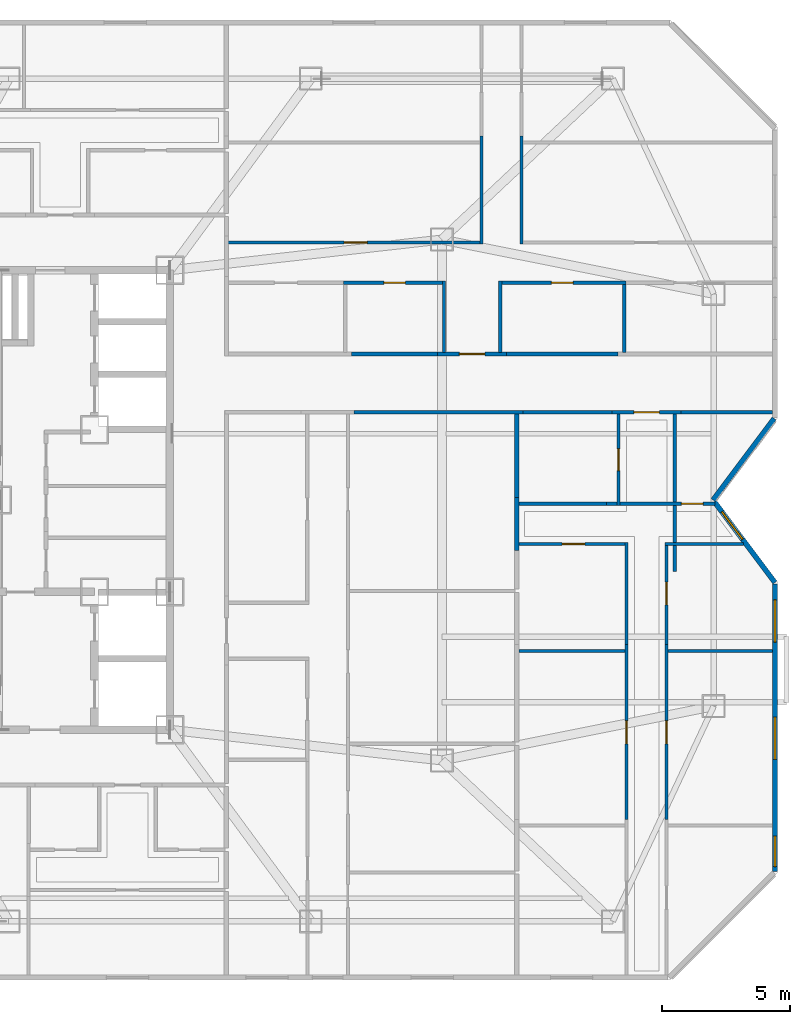
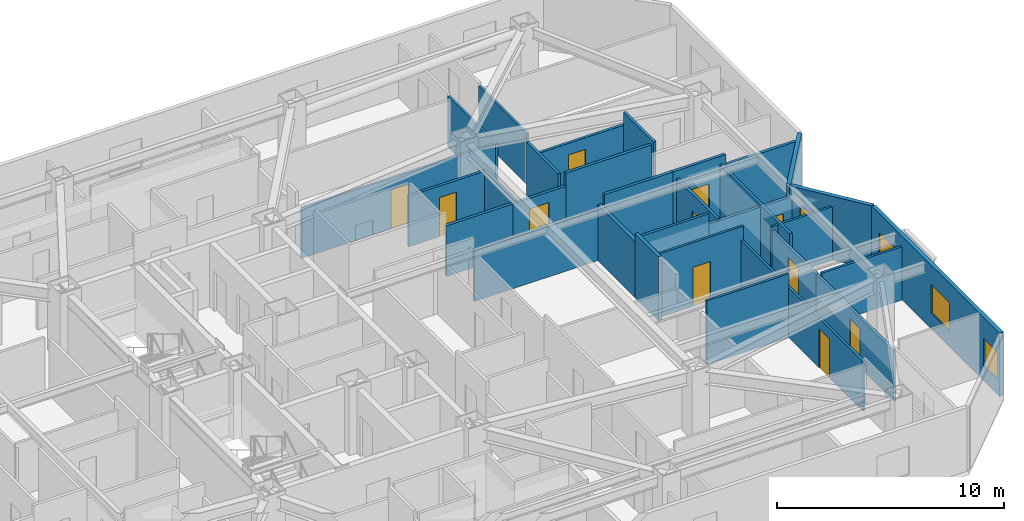
# One storey, part 9 of 13: 32 walls, 11 doors, 4 windows, 15 openings.
"""IFC4 building model written with IfcOpenShell, lengths in metres."""

import ifcopenshell
import ifcopenshell.guid

model = None  # the IFC model being written
_history = None  # IfcOwnerHistory: only IFC2X3 demands one
_inside = {}  # id of a spatial element -> (the spatial element, [elements in it])
_under = {}  # id of a project, library or spatial element -> (it, [spatial elements below it])
_declared = {}  # id of a project -> (the project, [libraries it declares])
_typed = {}  # id of a type object -> (the type object, [elements of that type])
_made_of = {}  # id of a material, layer set ... -> (it, [elements and type objects made of it])


def new_model(schema):
    """Start an empty IFC model of exactly this schema.

    Asked for "IFC4X3", IfcOpenShell would pick the latest addendum, in which some entities
    have other attributes; the version numbers below select the first issue.
    IFC2X3 requires an IfcOwnerHistory on every rooted entity: one is made here for all.
    """
    global model, _history
    if schema == "IFC4X3":
        model = ifcopenshell.file(schema_version=(4, 3, 0, 0))
    else:
        model = ifcopenshell.file(schema=schema)
    _inside.clear()
    _under.clear()
    _declared.clear()
    _typed.clear()
    _made_of.clear()
    _history = None
    if model.schema == "IFC2X3":
        org = make("IfcOrganization", Name="unknown")
        user = make(
            "IfcPersonAndOrganization",
            ThePerson=make("IfcPerson", FamilyName="unknown"),
            TheOrganization=org,
        )
        app = make(
            "IfcApplication",
            ApplicationDeveloper=org,
            Version="unknown",
            ApplicationFullName="unknown",
            ApplicationIdentifier="unknown",
        )
        _history = make(
            "IfcOwnerHistory",
            OwningUser=user,
            OwningApplication=app,
            ChangeAction="ADDED",
            CreationDate=0,
        )
    return model


def make(cls, **values):
    """One entity of the class cls with the attributes given. An attribute that is None is left unset."""
    return model.create_entity(
        cls, **{name: value for name, value in values.items() if value is not None}
    )


def rooted(cls, **values):
    """An entity with a GlobalId (a new one), such as an element, a storey or a relation."""
    return make(cls, GlobalId=ifcopenshell.guid.new(), OwnerHistory=_history, **values)


def si_unit(unit_type, name, prefix=None):
    """IfcSIUnit, for example si_unit("LENGTHUNIT", "METRE", prefix="MILLI")."""
    return make("IfcSIUnit", UnitType=unit_type, Prefix=prefix, Name=name)


def assignment(units):
    """IfcUnitAssignment: the units of a project."""
    return None if units is None else make("IfcUnitAssignment", Units=units)


def point(xyz):
    """IfcCartesianPoint."""
    return None if xyz is None else make("IfcCartesianPoint", Coordinates=xyz)


def direction(xyz):
    """IfcDirection."""
    return None if xyz is None else make("IfcDirection", DirectionRatios=xyz)


def frame(location, z_axis=None, x_axis=None):
    """IfcAxis2Placement3D, a coordinate frame: its origin and axes. An axis left out is left unset."""
    return make(
        "IfcAxis2Placement3D",
        Location=point(location),
        Axis=direction(z_axis),
        RefDirection=direction(x_axis),
    )


def frame_2d(location, x_axis=None):
    """IfcAxis2Placement2D, a coordinate frame in the plane: its origin and x axis."""
    return make(
        "IfcAxis2Placement2D", Location=point(location), RefDirection=direction(x_axis)
    )


def origin():
    """The frame at (0, 0, 0) with its axes left unset."""
    return frame((0.0, 0.0, 0.0))


def place(relative_to, where):
    """IfcLocalPlacement: puts the frame where relative to a parent placement (None: the world)."""
    return make(
        "IfcLocalPlacement", PlacementRelTo=relative_to, RelativePlacement=where
    )


def context(
    kind, dimensions, precision=None, world=None, true_north=None, identifier=None
):
    """IfcGeometricRepresentationContext, for example the 3D "Model" context."""
    return make(
        "IfcGeometricRepresentationContext",
        ContextIdentifier=identifier,
        ContextType=kind,
        CoordinateSpaceDimension=dimensions,
        Precision=precision,
        WorldCoordinateSystem=world,
        TrueNorth=true_north,
    )


def subcontext(parent, identifier, kind, view, scale=None):
    """IfcGeometricRepresentationSubContext, for example "Body" below "Model"."""
    return make(
        "IfcGeometricRepresentationSubContext",
        ContextIdentifier=identifier,
        ContextType=kind,
        ParentContext=parent,
        TargetScale=scale,
        TargetView=view,
    )


def project(units=None, contexts=None):
    """IfcProject with its units and contexts."""
    return rooted(
        "IfcProject",
        Name="project",
        RepresentationContexts=contexts,
        UnitsInContext=assignment(units),
    )


def spatial(cls, under=None, at=None, **own):
    """A site, building, storey or space (cls), placed at a placement, below another one or the project."""
    s = rooted(cls, ObjectPlacement=at, **own)
    if under is not None:
        _under.setdefault(under.id(), (under, []))[1].append(s)
    return s


def profile(cls, at=None, kind="AREA", **sizes):
    """A parametric profile (cls). Its sizes go by their IFC names, for example OverallWidth=200.0."""
    return make(cls, ProfileType=kind, Position=at, **sizes)


def rectangle(**sizes):
    """IfcRectangleProfileDef."""
    return profile("IfcRectangleProfileDef", **sizes)


def extrude(swept, where, along, depth):
    """IfcExtrudedAreaSolid: the profile swept, set in the frame where, extruded along a direction by depth."""
    return make(
        "IfcExtrudedAreaSolid",
        SweptArea=swept,
        Position=where,
        ExtrudedDirection=direction(along),
        Depth=depth,
    )


def shape(context_of_items, identifier, shape_type, items):
    """IfcShapeRepresentation: the items that make up one representation, for example the "Body"."""
    return make(
        "IfcShapeRepresentation",
        ContextOfItems=context_of_items,
        RepresentationIdentifier=identifier,
        RepresentationType=shape_type,
        Items=items,
    )


def material(Name=None, Category=None):
    """IfcMaterial."""
    return make("IfcMaterial", Name=Name, Category=Category)


def layer(
    of_material, thickness, ventilated=None, Name=None, Category=None, Priority=None
):
    """IfcMaterialLayer: one layer of a wall or slab, of a material (None: an air gap)."""
    return make(
        "IfcMaterialLayer",
        Material=of_material,
        LayerThickness=thickness,
        IsVentilated=ventilated,
        Name=Name,
        Category=Category,
        Priority=Priority,
    )


def layer_set(layers, Name=None):
    """IfcMaterialLayerSet."""
    return make("IfcMaterialLayerSet", MaterialLayers=layers, LayerSetName=Name)


def made_of(thing, what):
    """Note that an element or type object is made of a material, layer set ...; save() writes the relation."""
    if what is not None:
        _made_of.setdefault(what.id(), (what, []))[1].append(thing)
    return thing


def type_object(cls, material=None, **own):
    """A type object (cls), such as IfcWallType, which elements share."""
    return made_of(rooted(cls, **own), material)


def element(
    cls,
    number,
    at=None,
    inside=None,
    cuts=None,
    type_object=None,
    material=None,
    context=None,
    identifier="Body",
    shape_type=None,
    held_by="IfcProductDefinitionShape",
    body=None,
    shapes=None,
    **own,
):
    """One element of the class cls, such as IfcWall. Its Tag is "e" and its number.

    at: its placement. inside: the storey or other place that contains it. cuts: it is an
    opening in that element (IfcRelVoidsElement). A single representation is given by context,
    identifier, shape_type and body (its items); several are given by shapes. held_by: the class
    of the entity that holds the representations. save() writes the other relations.
    """
    e = rooted(cls, Tag="e%d" % number, ObjectPlacement=at, **own)
    if body is not None:
        shapes = [shape(context, identifier, shape_type, body)]
    if shapes is not None:
        e.Representation = make(held_by, Representations=shapes)
    if inside is not None:
        _inside.setdefault(inside.id(), (inside, []))[1].append(e)
    if cuts is not None:
        rooted(
            "IfcRelVoidsElement", RelatingBuildingElement=cuts, RelatedOpeningElement=e
        )
    if type_object is not None:
        _typed.setdefault(type_object.id(), (type_object, []))[1].append(e)
    return made_of(e, material)


def fill(opening, filler):
    """IfcRelFillsElement: the door or window that sits in an opening."""
    return rooted(
        "IfcRelFillsElement",
        RelatingOpeningElement=opening,
        RelatedBuildingElement=filler,
    )


def aggregate(whole, parts):
    """IfcRelAggregates: a whole, such as a stair, and the parts it consists of."""
    return rooted("IfcRelAggregates", RelatingObject=whole, RelatedObjects=parts)


def save(model, path):
    """Write the relations noted so far, then the file.

    IfcRelAggregates (storeys below a building ...), IfcRelContainedInSpatialStructure (elements
    in a storey), IfcRelDefinesByType, IfcRelAssociatesMaterial and IfcRelDeclares: one each for
    every whole, place, type object, material and project.
    """
    for whole, parts in _under.values():
        aggregate(whole, parts)
    for where, things in _inside.values():
        rooted(
            "IfcRelContainedInSpatialStructure",
            RelatedElements=things,
            RelatingStructure=where,
        )
    for kind, things in _typed.values():
        rooted("IfcRelDefinesByType", RelatedObjects=things, RelatingType=kind)
    for what, things in _made_of.values():
        rooted("IfcRelAssociatesMaterial", RelatedObjects=things, RelatingMaterial=what)
    for by, libraries in _declared.values():
        rooted("IfcRelDeclares", RelatingContext=by, RelatedDefinitions=libraries)
    model.write(path)


model = new_model("IFC4")

# Units and contexts
model_context = context("Model", 3, precision=1e-05, world=origin(), true_north=direction((0.0, 1.0)))
body_context = subcontext(model_context, "Body", "Model", "MODEL_VIEW")
ifc_project = project(units=[si_unit("LENGTHUNIT", "METRE"), si_unit("AREAUNIT", "SQUARE_METRE"), si_unit("VOLUMEUNIT", "CUBIC_METRE"), si_unit("PLANEANGLEUNIT", "RADIAN"), si_unit("MASSUNIT", "GRAM", prefix="KILO")], contexts=[model_context])

# Site, building, storey
site_placement = place(None, origin())
site = spatial("IfcSite", under=ifc_project, at=site_placement, CompositionType="ELEMENT")
building_placement = place(site_placement, origin())
building = spatial("IfcBuilding", under=site, at=building_placement, Name="Khamvora Tower", CompositionType="ELEMENT")
storey_placement = place(building_placement, frame((0.0, 0.0, 166.85009765625)))
storey = spatial("IfcBuildingStorey", under=building, at=storey_placement, Name="L42", CompositionType="ELEMENT", Elevation=166.85009765625)

# Wall
ifc_material_1 = material(Name="Fire-Rated Drywall and Steel Stud", Category="steel")
ifc_layer_1 = layer(ifc_material_1, 0.14990234375)
ifc_layer_set_1 = layer_set([ifc_layer_1], Name="Fire-Rated Drywall and Steel Stud")
wall_type_1 = type_object("IfcWallType", Name="WAL-CORR-150", PredefinedType="STANDARD", material=ifc_layer_set_1)
wall_1_placement = place(storey_placement, frame((53.23388671875, 31.43505859375, 0.0), z_axis=(0.0, 0.0, 1.0), x_axis=(-1.0, 0.0, 0.0)))
element("IfcWall", 1, at=wall_1_placement, inside=storey, type_object=wall_type_1, Name="L42 interior partition wall 033", PredefinedType="STANDARD", context=body_context, shape_type="SweptSolid", body=[
    extrude(rectangle(XDim=6.616943359375, YDim=0.14990234375, at=frame_2d((3.30859375, 0.0))), origin(), (0.0, 0.0, 1.0), 2.724853515625),
])

# Wall, opening, door
wall_2_placement = place(storey_placement, frame((59.4189453125, 31.43505859375, 0.0), z_axis=(0.0, 0.0, 1.0), x_axis=(-1.0, 0.0, 0.0)))
wall_2 = element("IfcWall", 2, at=wall_2_placement, inside=storey, type_object=wall_type_1, Name="L42 interior partition wall 034", PredefinedType="STANDARD", context=body_context, shape_type="SweptSolid", body=[
    extrude(rectangle(XDim=2.697998046875, YDim=0.14990234375, at=frame_2d((1.34912109375, 0.0))), origin(), (0.0, 0.0, 1.0), 3.429931640625),
])
opening_1_placement = place(wall_2_placement, frame((0.84912109375, 0.0, 0.0)))
opening_1 = element("IfcOpeningElement", 3, at=opening_1_placement, cuts=wall_2, Name="Opening D-U1", PredefinedType="OPENING", context=body_context, shape_type="SweptSolid", body=[
    extrude(rectangle(XDim=1.0, YDim=2.14990234375, at=frame_2d((0.5, 1.074951171875))), frame((0.0, 0.0849609375, 0.0), z_axis=(0.0, -1.0, 0.0), x_axis=(1.0, 0.0, 0.0)), (0.0, 0.0, 1.0), 0.169921875),
])
ifc_material_2 = material(Name="Powder-Coated Steel and Hardwood Leaf", Category="steel")
door_type_1 = type_object("IfcDoorType", Name="DOR-UNIT-1000", OperationType="NOTDEFINED", PredefinedType="DOOR", material=ifc_material_2)
door_1_placement = place(opening_1_placement, origin())
door_1 = element("IfcDoor", 4, at=door_1_placement, inside=storey, type_object=door_type_1, Name="L42 interior door COR-42EBH", OperationType="SINGLE_SWING_LEFT", OverallHeight=2.14990234375, OverallWidth=1.0, PredefinedType="DOOR", context=body_context, shape_type="SweptSolid", body=[
    extrude(rectangle(XDim=1.0, YDim=2.14990234375, at=frame_2d((0.5, 1.074951171875))), frame((0.0, 0.02490234375, 0.0), z_axis=(0.0, -1.0, 0.0), x_axis=(1.0, 0.0, 0.0)), (0.0, 0.0, 1.0), 0.050048828125),
])
fill(opening_1, door_1)

# Walls
wall_3_placement = place(storey_placement, frame((63.008056640625, 31.43505859375, 0.0), z_axis=(0.0, 0.0, 1.0), x_axis=(-1.0, 0.0, 0.0)))
element("IfcWall", 5, at=wall_3_placement, inside=storey, type_object=wall_type_1, Name="L42 interior partition wall 035", PredefinedType="STANDARD", context=body_context, shape_type="SweptSolid", body=[
    extrude(rectangle(XDim=3.589111328125, YDim=0.14990234375, at=frame_2d((1.79443359375, 0.0))), origin(), (0.0, 0.0, 1.0), 2.8759765625),
])
wall_4_placement = place(storey_placement, frame((56.720947265625, 31.43505859375, 0.0), z_axis=(0.0, 0.0, 1.0), x_axis=(-1.0, 0.0, 0.0)))
element("IfcWall", 6, at=wall_4_placement, inside=storey, type_object=wall_type_1, Name="L42 interior partition wall 036", PredefinedType="STANDARD", context=body_context, shape_type="SweptSolid", body=[
    extrude(rectangle(XDim=3.487060546875, YDim=0.14990234375, at=frame_2d((1.74365234375, 0.0))), origin(), (0.0, 0.0, 1.0), 3.429931640625),
])

# Wall, opening, door
wall_5_placement = place(storey_placement, frame((49.885986328125, 33.715087890625, 0.0), z_axis=(0.0, 0.0, 1.0), x_axis=(1.0, 0.0, 0.0)))
wall_5 = element("IfcWall", 7, at=wall_5_placement, inside=storey, type_object=wall_type_1, Name="L42 interior partition wall 041", PredefinedType="STANDARD", context=body_context, shape_type="SweptSolid", body=[
    extrude(rectangle(XDim=2.697998046875, YDim=0.14990234375, at=frame_2d((1.34912109375, 0.0))), origin(), (0.0, 0.0, 1.0), 2.724853515625),
])
opening_2_placement = place(wall_5_placement, frame((0.84912109375, 0.0, 0.0)))
opening_2 = element("IfcOpeningElement", 8, at=opening_2_placement, cuts=wall_5, Name="Opening D-U1", PredefinedType="OPENING", context=body_context, shape_type="SweptSolid", body=[
    extrude(rectangle(XDim=1.0, YDim=2.14990234375, at=frame_2d((0.5, 1.074951171875))), frame((0.0, 0.0849609375, 0.0), z_axis=(0.0, -1.0, 0.0), x_axis=(1.0, 0.0, 0.0)), (0.0, 0.0, 1.0), 0.169921875),
])
door_2_placement = place(opening_2_placement, origin())
door_2 = element("IfcDoor", 9, at=door_2_placement, inside=storey, type_object=door_type_1, Name="L42 interior door COR-42ECH", OperationType="SINGLE_SWING_RIGHT", OverallHeight=2.14990234375, OverallWidth=1.0, PredefinedType="DOOR", context=body_context, shape_type="SweptSolid", body=[
    extrude(rectangle(XDim=1.0, YDim=2.14990234375, at=frame_2d((0.5, 1.074951171875))), frame((0.0, 0.02490234375, 0.0), z_axis=(0.0, -1.0, 0.0), x_axis=(1.0, 0.0, 0.0)), (0.0, 0.0, 1.0), 0.050048828125),
])
fill(opening_2, door_2)

# Walls
wall_6_placement = place(storey_placement, frame((46.51904296875, 33.715087890625, 0.0), z_axis=(0.0, 0.0, 1.0), x_axis=(1.0, 0.0, 0.0)))
element("IfcWall", 10, at=wall_6_placement, inside=storey, type_object=wall_type_1, Name="L42 interior partition wall 042", PredefinedType="STANDARD", context=body_context, shape_type="SweptSolid", body=[
    extrude(rectangle(XDim=3.366943359375, YDim=0.14990234375, at=frame_2d((1.68359375, 0.0))), origin(), (0.0, 0.0, 1.0), 2.724853515625),
])
wall_7_placement = place(storey_placement, frame((52.583984375, 33.715087890625, 0.0), z_axis=(0.0, 0.0, 1.0), x_axis=(1.0, 0.0, 0.0)))
element("IfcWall", 11, at=wall_7_placement, inside=storey, type_object=wall_type_1, Name="L42 interior partition wall 043", PredefinedType="STANDARD", context=body_context, shape_type="SweptSolid", body=[
    extrude(rectangle(XDim=4.366943359375, YDim=0.14990234375, at=frame_2d((2.18359375, 0.0))), origin(), (0.0, 0.0, 1.0), 3.429931640625),
])
ifc_material_3 = material(Name="Acoustic Double-Stud Fire Wall", Category="gypsum")
ifc_layer_2 = layer(ifc_material_3, 0.179931640625)
ifc_layer_set_2 = layer_set([ifc_layer_2], Name="Acoustic Double-Stud Fire Wall")
wall_type_2 = type_object("IfcWallType", Name="WAL-CORR-180", PredefinedType="STANDARD", material=ifc_layer_set_2)
wall_8_placement = place(storey_placement, frame((52.985107421875, 28.10400390625, 0.0), z_axis=(0.0, 0.0, 1.0), x_axis=(0.0, -1.0, 0.0)))
element("IfcWall", 12, at=wall_8_placement, inside=storey, type_object=wall_type_2, Name="L42 interior partition wall 123", PredefinedType="STANDARD", context=body_context, shape_type="SweptSolid", body=[
    extrude(rectangle(XDim=2.078125, YDim=0.179931640625, at=frame_2d((1.0390625, 0.0))), origin(), (0.0, 0.0, 1.0), 3.429931640625),
])
wall_9_placement = place(storey_placement, frame((52.985107421875, 31.367919921875, 0.0), z_axis=(0.0, 0.0, 1.0), x_axis=(0.0, -1.0, 0.0)))
element("IfcWall", 13, at=wall_9_placement, inside=storey, type_object=wall_type_2, Name="L42 interior partition wall 124", PredefinedType="STANDARD", context=body_context, shape_type="SweptSolid", body=[
    extrude(rectangle(XDim=3.263916015625, YDim=0.179931640625, at=frame_2d((1.6318359375, 0.0))), origin(), (0.0, 0.0, 1.0), 3.012939453125),
])
ifc_material_4 = material(Name="Precast concrete C40/50", Category="concrete")
ifc_layer_3 = layer(ifc_material_4, 0.199951171875)
ifc_layer_set_3 = layer_set([ifc_layer_3], Name="Precast concrete C40/50")
wall_type_3 = type_object("IfcWallType", Name="WAL-EXT-200", PredefinedType="STANDARD", material=ifc_layer_set_3)
wall_10_placement = place(storey_placement, frame((63.069091796875, 31.19091796875, 0.0), z_axis=(0.0, 0.0, 1.0), x_axis=(-0.600137081448, -0.799897170561, 0.0)))
element("IfcWall", 14, at=wall_10_placement, inside=storey, type_object=wall_type_3, Name="L42 exterior facade wall 10.1", PredefinedType="STANDARD", context=body_context, shape_type="SweptSolid", body=[
    extrude(rectangle(XDim=3.9892578125, YDim=0.199951171875, at=frame_2d((1.99462890625, 0.0))), origin(), (0.0, 0.0, 1.0), 3.429931640625),
])

# Wall, opening, window
wall_11_placement = place(storey_placement, frame((60.72705078125, 27.930908203125, 0.0), z_axis=(0.0, 0.0, 1.0), x_axis=(0.600029630681, -0.799977776132, 0.0)))
wall_11 = element("IfcWall", 15, at=wall_11_placement, inside=storey, type_object=wall_type_3, Name="L42 exterior facade wall 11.1", PredefinedType="STANDARD", context=body_context, shape_type="SweptSolid", body=[
    extrude(rectangle(XDim=3.954833984375, YDim=0.199951171875, at=frame_2d((1.9775390625, 0.0))), origin(), (0.0, 0.0, 1.0), 3.429931640625),
])
opening_3_placement = place(wall_11_placement, frame((0.489990234375, 0.0, 0.85009765625)))
opening_3 = element("IfcOpeningElement", 16, at=opening_3_placement, cuts=wall_11, Name="Opening WN-07", PredefinedType="OPENING", context=body_context, shape_type="SweptSolid", body=[
    extrude(rectangle(XDim=1.35009765625, YDim=1.5, at=frame_2d((0.675048828125, 0.75))), frame((0.0, 0.10986328125, 0.0), z_axis=(0.0, -1.0, 0.0), x_axis=(1.0, 0.0, 0.0)), (0.0, 0.0, 1.0), 0.219970703125),
])
ifc_material_5 = material(Name="Low-E Laminated Double Glazing", Category="glass")
window_type_1 = type_object("IfcWindowType", Name="WIN-VIS-1350x1500", PartitioningType="SINGLE_PANEL", PredefinedType="WINDOW", material=ifc_material_5)
window_1_placement = place(opening_3_placement, origin())
window_1 = element("IfcWindow", 17, at=window_1_placement, inside=storey, type_object=window_type_1, Name="L42 vision window 11.1.01", OverallHeight=1.5, OverallWidth=1.35009765625, PartitioningType="SINGLE_PANEL", PredefinedType="WINDOW", context=body_context, shape_type="SweptSolid", body=[
    extrude(rectangle(XDim=1.35009765625, YDim=1.5, at=frame_2d((0.675048828125, 0.75))), frame((0.0, 0.030029296875, 0.0), z_axis=(0.0, -1.0, 0.0), x_axis=(1.0, 0.0, 0.0)), (0.0, 0.0, 1.0), 0.06005859375),
])
fill(opening_3, window_1)

# Wall, openings, windows
wall_12_placement = place(storey_placement, frame((63.10009765625, 24.717041015625, 0.0), z_axis=(0.0, 0.0, 1.0), x_axis=(0.0, -1.0, 0.0)))
wall_12 = element("IfcWall", 18, at=wall_12_placement, inside=storey, type_object=wall_type_3, Name="L42 exterior facade wall 12.1", PredefinedType="STANDARD", context=body_context, shape_type="SweptSolid", body=[
    extrude(rectangle(XDim=11.276123046875, YDim=0.199951171875, at=frame_2d((5.63818359375, 0.0))), origin(), (0.0, 0.0, 1.0), 3.429931640625),
])
opening_4_placement = place(wall_12_placement, frame((9.881103515625, 0.0, 0.800048828125)))
opening_4 = element("IfcOpeningElement", 19, at=opening_4_placement, cuts=wall_12, Name="Opening WN-03", PredefinedType="OPENING", context=body_context, shape_type="SweptSolid", body=[
    extrude(rectangle(XDim=1.199951171875, YDim=1.5, at=frame_2d((0.60009765625, 0.75))), frame((0.0, 0.10986328125, 0.0), z_axis=(0.0, -1.0, 0.0), x_axis=(1.0, 0.0, 0.0)), (0.0, 0.0, 1.0), 0.219970703125),
])
opening_5_placement = place(wall_12_placement, frame((5.22509765625, 0.0, 0.85009765625)))
opening_5 = element("IfcOpeningElement", 20, at=opening_5_placement, cuts=wall_12, Name="Opening WN-06", PredefinedType="OPENING", context=body_context, shape_type="SweptSolid", body=[
    extrude(rectangle(XDim=1.64990234375, YDim=1.550048828125, at=frame_2d((0.824951171875, 0.77490234375))), frame((0.0, 0.10986328125, 0.0), z_axis=(0.0, -1.0, 0.0), x_axis=(1.0, 0.0, 0.0)), (0.0, 0.0, 1.0), 0.219970703125),
])
opening_6_placement = place(wall_12_placement, frame((0.632080078125, 0.0, 0.85009765625)))
opening_6 = element("IfcOpeningElement", 21, at=opening_6_placement, cuts=wall_12, Name="Opening WN-06", PredefinedType="OPENING", context=body_context, shape_type="SweptSolid", body=[
    extrude(rectangle(XDim=1.64990234375, YDim=1.550048828125, at=frame_2d((0.824951171875, 0.77490234375))), frame((0.0, 0.10986328125, 0.0), z_axis=(0.0, -1.0, 0.0), x_axis=(1.0, 0.0, 0.0)), (0.0, 0.0, 1.0), 0.219970703125),
])
window_type_2 = type_object("IfcWindowType", Name="WIN-VIS-1200x1500", PartitioningType="SINGLE_PANEL", PredefinedType="WINDOW", material=ifc_material_5)
window_2_placement = place(opening_4_placement, origin())
window_2 = element("IfcWindow", 22, at=window_2_placement, inside=storey, type_object=window_type_2, Name="L42 vision window 12.1.01", OverallHeight=1.5, OverallWidth=1.199951171875, PartitioningType="SINGLE_PANEL", PredefinedType="WINDOW", context=body_context, shape_type="SweptSolid", body=[
    extrude(rectangle(XDim=1.199951171875, YDim=1.5, at=frame_2d((0.60009765625, 0.75))), frame((0.0, 0.030029296875, 0.0), z_axis=(0.0, -1.0, 0.0), x_axis=(1.0, 0.0, 0.0)), (0.0, 0.0, 1.0), 0.06005859375),
])
fill(opening_4, window_2)
window_type_3 = type_object("IfcWindowType", Name="WIN-VIS-1650x1550", PartitioningType="SINGLE_PANEL", PredefinedType="WINDOW", material=ifc_material_5)
window_3_placement = place(opening_5_placement, origin())
window_3 = element("IfcWindow", 23, at=window_3_placement, inside=storey, type_object=window_type_3, Name="L42 vision window 12.1.02", OverallHeight=1.550048828125, OverallWidth=1.64990234375, PartitioningType="SINGLE_PANEL", PredefinedType="WINDOW", context=body_context, shape_type="SweptSolid", body=[
    extrude(rectangle(XDim=1.64990234375, YDim=1.550048828125, at=frame_2d((0.824951171875, 0.77490234375))), frame((0.0, 0.030029296875, 0.0), z_axis=(0.0, -1.0, 0.0), x_axis=(1.0, 0.0, 0.0)), (0.0, 0.0, 1.0), 0.06005859375),
])
fill(opening_5, window_3)
window_4_placement = place(opening_6_placement, origin())
window_4 = element("IfcWindow", 24, at=window_4_placement, inside=storey, type_object=window_type_3, Name="L42 vision window 12.1.03", OverallHeight=1.550048828125, OverallWidth=1.64990234375, PartitioningType="SINGLE_PANEL", PredefinedType="WINDOW", context=body_context, shape_type="SweptSolid", body=[
    extrude(rectangle(XDim=1.64990234375, YDim=1.550048828125, at=frame_2d((0.824951171875, 0.77490234375))), frame((0.0, 0.030029296875, 0.0), z_axis=(0.0, -1.0, 0.0), x_axis=(1.0, 0.0, 0.0)), (0.0, 0.0, 1.0), 0.06005859375),
])
fill(opening_6, window_4)

# Wall, opening, door
ifc_material_6 = material(Name="Gypsum Plasterboard Partition", Category="gypsum")
ifc_layer_4 = layer(ifc_material_6, 0.1201171875)
ifc_layer_set_4 = layer_set([ifc_layer_4], Name="Gypsum Plasterboard Partition")
wall_type_4 = type_object("IfcWallType", Name="WAL-PART-120", PredefinedType="PARTITIONING", material=ifc_layer_set_4)
wall_13_placement = place(storey_placement, frame((57.284912109375, 15.4951171875, 0.0), z_axis=(0.0, 0.0, 1.0), x_axis=(0.0, 1.0, 0.0)))
wall_13 = element("IfcWall", 25, at=wall_13_placement, inside=storey, type_object=wall_type_4, Name="L42 interior partition wall 131", PredefinedType="PARTITIONING", context=body_context, shape_type="SweptSolid", body=[
    extrude(rectangle(XDim=6.841796875, YDim=0.1201171875, at=frame_2d((3.4208984375, 0.0))), origin(), (0.0, 0.0, 1.0), 2.68701171875),
])
opening_7_placement = place(wall_13_placement, frame((2.949951171875, 0.0, 0.0)))
opening_7 = element("IfcOpeningElement", 26, at=opening_7_placement, cuts=wall_13, Name="Opening D-RM1", PredefinedType="OPENING", context=body_context, shape_type="SweptSolid", body=[
    extrude(rectangle(XDim=0.89990234375, YDim=2.10009765625, at=frame_2d((0.449951171875, 1.050048828125))), frame((0.0, 0.070068359375, 0.0), z_axis=(0.0, -1.0, 0.0), x_axis=(1.0, 0.0, 0.0)), (0.0, 0.0, 1.0), 0.14013671875),
])
door_type_2 = type_object("IfcDoorType", Name="DOR-ROOM-900", OperationType="NOTDEFINED", PredefinedType="DOOR", material=ifc_material_2)
door_3_placement = place(opening_7_placement, origin())
door_3 = element("IfcDoor", 27, at=door_3_placement, inside=storey, type_object=door_type_2, Name="L42 interior door 42EBH-42EBR2", OperationType="SINGLE_SWING_RIGHT", OverallHeight=2.10009765625, OverallWidth=0.89990234375, PredefinedType="DOOR", context=body_context, shape_type="SweptSolid", body=[
    extrude(rectangle(XDim=0.89990234375, YDim=2.10009765625, at=frame_2d((0.449951171875, 1.050048828125))), frame((0.0, 0.02490234375, 0.0), z_axis=(0.0, -1.0, 0.0), x_axis=(1.0, 0.0, 0.0)), (0.0, 0.0, 1.0), 0.050048828125),
])
fill(opening_7, door_3)

# Wall
wall_14_placement = place(storey_placement, frame((57.284912109375, 22.3369140625, 0.0), z_axis=(0.0, 0.0, 1.0), x_axis=(0.0, 1.0, 0.0)))
element("IfcWall", 28, at=wall_14_placement, inside=storey, type_object=wall_type_4, Name="L42 interior partition wall 132", PredefinedType="PARTITIONING", context=body_context, shape_type="SweptSolid", body=[
    extrude(rectangle(XDim=4.003173828125, YDim=0.1201171875, at=frame_2d((2.00146484375, 0.0))), origin(), (0.0, 0.0, 1.0), 2.68701171875),
])

# Wall, opening, door
wall_15_placement = place(storey_placement, frame((57.35009765625, 26.27490234375, 0.0), z_axis=(0.0, 0.0, 1.0), x_axis=(-1.0, 0.0, 0.0)))
wall_15 = element("IfcWall", 29, at=wall_15_placement, inside=storey, type_object=wall_type_4, Name="L42 interior partition wall 133", PredefinedType="PARTITIONING", context=body_context, shape_type="SweptSolid", body=[
    extrude(rectangle(XDim=4.283203125, YDim=0.1201171875, at=frame_2d((2.1416015625, 0.0))), origin(), (0.0, 0.0, 1.0), 3.429931640625),
])
opening_8_placement = place(wall_15_placement, frame((1.69189453125, 0.0, 0.0)))
opening_8 = element("IfcOpeningElement", 30, at=opening_8_placement, cuts=wall_15, Name="Opening D-RM1", PredefinedType="OPENING", context=body_context, shape_type="SweptSolid", body=[
    extrude(rectangle(XDim=0.89990234375, YDim=2.10009765625, at=frame_2d((0.449951171875, 1.050048828125))), frame((0.0, 0.070068359375, 0.0), z_axis=(0.0, -1.0, 0.0), x_axis=(1.0, 0.0, 0.0)), (0.0, 0.0, 1.0), 0.14013671875),
])
door_4_placement = place(opening_8_placement, origin())
door_4 = element("IfcDoor", 31, at=door_4_placement, inside=storey, type_object=door_type_2, Name="L42 interior door 42EBH-42EBR3", OperationType="SINGLE_SWING_LEFT", OverallHeight=2.10009765625, OverallWidth=0.89990234375, PredefinedType="DOOR", context=body_context, shape_type="SweptSolid", body=[
    extrude(rectangle(XDim=0.89990234375, YDim=2.10009765625, at=frame_2d((0.449951171875, 1.050048828125))), frame((0.0, 0.02490234375, 0.0), z_axis=(0.0, -1.0, 0.0), x_axis=(1.0, 0.0, 0.0)), (0.0, 0.0, 1.0), 0.050048828125),
])
fill(opening_8, door_4)

wall_16_placement = place(storey_placement, frame((58.85498046875, 22.3369140625, 0.0), z_axis=(0.0, 0.0, 1.0), x_axis=(0.0, -1.0, 0.0)))
wall_16 = element("IfcWall", 32, at=wall_16_placement, inside=storey, type_object=wall_type_4, Name="L42 interior partition wall 135", PredefinedType="PARTITIONING", context=body_context, shape_type="SweptSolid", body=[
    extrude(rectangle(XDim=6.841796875, YDim=0.1201171875, at=frame_2d((3.4208984375, 0.0))), origin(), (0.0, 0.0, 1.0), 2.68701171875),
])
opening_9_placement = place(wall_16_placement, frame((2.991943359375, 0.0, 0.0)))
opening_9 = element("IfcOpeningElement", 33, at=opening_9_placement, cuts=wall_16, Name="Opening D-RM1", PredefinedType="OPENING", context=body_context, shape_type="SweptSolid", body=[
    extrude(rectangle(XDim=0.89990234375, YDim=2.10009765625, at=frame_2d((0.449951171875, 1.050048828125))), frame((0.0, 0.070068359375, 0.0), z_axis=(0.0, -1.0, 0.0), x_axis=(1.0, 0.0, 0.0)), (0.0, 0.0, 1.0), 0.14013671875),
])
door_5_placement = place(opening_9_placement, origin())
door_5 = element("IfcDoor", 34, at=door_5_placement, inside=storey, type_object=door_type_2, Name="L42 interior door 42EBH-42EBR5", OperationType="SINGLE_SWING_LEFT", OverallHeight=2.10009765625, OverallWidth=0.89990234375, PredefinedType="DOOR", context=body_context, shape_type="SweptSolid", body=[
    extrude(rectangle(XDim=0.89990234375, YDim=2.10009765625, at=frame_2d((0.449951171875, 1.050048828125))), frame((0.0, 0.02490234375, 0.0), z_axis=(0.0, -1.0, 0.0), x_axis=(1.0, 0.0, 0.0)), (0.0, 0.0, 1.0), 0.050048828125),
])
fill(opening_9, door_5)

wall_17_placement = place(storey_placement, frame((58.85498046875, 26.340087890625, 0.0), z_axis=(0.0, 0.0, 1.0), x_axis=(0.0, -1.0, 0.0)))
wall_17 = element("IfcWall", 35, at=wall_17_placement, inside=storey, type_object=wall_type_4, Name="L42 interior partition wall 136", PredefinedType="PARTITIONING", context=body_context, shape_type="SweptSolid", body=[
    extrude(rectangle(XDim=4.003173828125, YDim=0.1201171875, at=frame_2d((2.00146484375, 0.0))), origin(), (0.0, 0.0, 1.0), 2.68701171875),
])
opening_10_placement = place(wall_17_placement, frame((1.552001953125, 0.0, 0.0)))
opening_10 = element("IfcOpeningElement", 36, at=opening_10_placement, cuts=wall_17, Name="Opening D-RM1", PredefinedType="OPENING", context=body_context, shape_type="SweptSolid", body=[
    extrude(rectangle(XDim=0.89990234375, YDim=2.10009765625, at=frame_2d((0.449951171875, 1.050048828125))), frame((0.0, 0.070068359375, 0.0), z_axis=(0.0, -1.0, 0.0), x_axis=(1.0, 0.0, 0.0)), (0.0, 0.0, 1.0), 0.14013671875),
])
door_6_placement = place(opening_10_placement, origin())
door_6 = element("IfcDoor", 37, at=door_6_placement, inside=storey, type_object=door_type_2, Name="L42 interior door 42EBH-42EBR6", OperationType="SINGLE_SWING_RIGHT", OverallHeight=2.10009765625, OverallWidth=0.89990234375, PredefinedType="DOOR", context=body_context, shape_type="SweptSolid", body=[
    extrude(rectangle(XDim=0.89990234375, YDim=2.10009765625, at=frame_2d((0.449951171875, 1.050048828125))), frame((0.0, 0.02490234375, 0.0), z_axis=(0.0, -1.0, 0.0), x_axis=(1.0, 0.0, 0.0)), (0.0, 0.0, 1.0), 0.050048828125),
])
fill(opening_10, door_6)

# Walls
wall_18_placement = place(storey_placement, frame((61.864990234375, 26.27490234375, 0.0), z_axis=(0.0, 0.0, 1.0), x_axis=(-1.0, 0.0, 0.0)))
element("IfcWall", 38, at=wall_18_placement, inside=storey, type_object=wall_type_4, Name="L42 interior partition wall 137", PredefinedType="PARTITIONING", context=body_context, shape_type="SweptSolid", body=[
    extrude(rectangle(XDim=3.074951171875, YDim=0.1201171875, at=frame_2d((1.53759765625, 0.0))), origin(), (0.0, 0.0, 1.0), 2.8759765625),
])
wall_19_placement = place(storey_placement, frame((53.06689453125, 22.087890625, 0.0), z_axis=(0.0, 0.0, 1.0), x_axis=(1.0, 0.0, 0.0)))
element("IfcWall", 39, at=wall_19_placement, inside=storey, type_object=wall_type_4, Name="L42 interior partition wall 139", PredefinedType="PARTITIONING", context=body_context, shape_type="SweptSolid", body=[
    extrude(rectangle(XDim=4.1640625, YDim=0.1201171875, at=frame_2d((2.08203125, 0.0))), origin(), (0.0, 0.0, 1.0), 3.429931640625),
])
wall_20_placement = place(storey_placement, frame((58.908935546875, 22.087890625, 0.0), z_axis=(0.0, 0.0, 1.0), x_axis=(1.0, 0.0, 0.0)))
element("IfcWall", 40, at=wall_20_placement, inside=storey, type_object=wall_type_4, Name="L42 interior partition wall 141", PredefinedType="PARTITIONING", context=body_context, shape_type="SweptSolid", body=[
    extrude(rectangle(XDim=4.09912109375, YDim=0.1201171875, at=frame_2d((2.049560546875, 0.0))), origin(), (0.0, 0.0, 1.0), 2.8759765625),
])

# Wall, opening, door
wall_21_placement = place(storey_placement, frame((41.681884765625, 38.089111328125, 0.0), z_axis=(0.0, 0.0, 1.0), x_axis=(1.0, 0.0, 0.0)))
wall_21 = element("IfcWall", 41, at=wall_21_placement, inside=storey, type_object=wall_type_4, Name="L42 interior partition wall 150", PredefinedType="PARTITIONING", context=body_context, shape_type="SweptSolid", body=[
    extrude(rectangle(XDim=9.983154296875, YDim=0.1201171875, at=frame_2d((4.99169921875, 0.0))), origin(), (0.0, 0.0, 1.0), 2.724853515625),
])
opening_11_placement = place(wall_21_placement, frame((4.5419921875, 0.0, 0.0)))
opening_11 = element("IfcOpeningElement", 42, at=opening_11_placement, cuts=wall_21, Name="Opening D-RM1", PredefinedType="OPENING", context=body_context, shape_type="SweptSolid", body=[
    extrude(rectangle(XDim=0.89990234375, YDim=2.10009765625, at=frame_2d((0.449951171875, 1.050048828125))), frame((0.0, 0.070068359375, 0.0), z_axis=(0.0, -1.0, 0.0), x_axis=(1.0, 0.0, 0.0)), (0.0, 0.0, 1.0), 0.14013671875),
])
door_7_placement = place(opening_11_placement, origin())
door_7 = element("IfcDoor", 43, at=door_7_placement, inside=storey, type_object=door_type_2, Name="L42 interior door 42ECH-42ECR1", OperationType="SINGLE_SWING_RIGHT", OverallHeight=2.10009765625, OverallWidth=0.89990234375, PredefinedType="DOOR", context=body_context, shape_type="SweptSolid", body=[
    extrude(rectangle(XDim=0.89990234375, YDim=2.10009765625, at=frame_2d((0.449951171875, 1.050048828125))), frame((0.0, 0.02490234375, 0.0), z_axis=(0.0, -1.0, 0.0), x_axis=(1.0, 0.0, 0.0)), (0.0, 0.0, 1.0), 0.050048828125),
])
fill(opening_11, door_7)

# Walls
for number, where, z_axis, x_axis, name in (
    (44, (51.60009765625, 38.02392578125, 0.0), (0.0, 0.0, 1.0), (0.0, 1.0, 0.0), "L42 interior partition wall 151"),
    (45, (53.169921875, 42.248046875, 0.0), (0.0, 0.0, 1.0), (0.0, -1.0, 0.0), "L42 interior partition wall 153"),
):
    element("IfcWall", number, at=place(storey_placement, frame(where, z_axis=z_axis, x_axis=x_axis)), inside=storey, type_object=wall_type_4, Name=name, PredefinedType="PARTITIONING", context=body_context, shape_type="SweptSolid", body=[
        extrude(rectangle(XDim=4.22412109375, YDim=0.1201171875, at=frame_2d((2.112060546875, 0.0))), origin(), (0.0, 0.0, 1.0), 2.724853515625),
    ])
ifc_material_7 = material(Name="Moisture-Resistant Plasterboard Partition", Category="gypsum")
ifc_layer_5 = layer(ifc_material_7, 0.135009765625)
ifc_layer_set_5 = layer_set([ifc_layer_5], Name="Moisture-Resistant Plasterboard Partition")
wall_type_5 = type_object("IfcWallType", Name="WAL-WET-135", PredefinedType="PARTITIONING", material=ifc_layer_set_5)
wall_22_placement = place(storey_placement, frame((59.169921875, 31.367919921875, 0.0), z_axis=(0.0, 0.0, 1.0), x_axis=(0.0, -1.0, 0.0)))
element("IfcWall", 46, at=wall_22_placement, inside=storey, type_object=wall_type_5, Name="L42 interior partition wall 126", PredefinedType="PARTITIONING", context=body_context, shape_type="SweptSolid", body=[
    extrude(rectangle(XDim=6.177978515625, YDim=0.135009765625, at=frame_2d((3.0888671875, 0.0))), origin(), (0.0, 0.0, 1.0), 3.012939453125),
])

# Wall, opening, door
wall_23_placement = place(storey_placement, frame((56.5048828125, 27.85498046875, 0.0), z_axis=(0.0, 0.0, 1.0), x_axis=(1.0, 0.0, 0.0)))
wall_23 = element("IfcWall", 47, at=wall_23_placement, inside=storey, type_object=wall_type_5, Name="L42 interior partition wall 127", PredefinedType="PARTITIONING", context=body_context, shape_type="SweptSolid", body=[
    extrude(rectangle(XDim=4.252197265625, YDim=0.135009765625, at=frame_2d((2.1259765625, 0.0))), origin(), (0.0, 0.0, 1.0), 2.8759765625),
])
opening_12_placement = place(wall_23_placement, frame((2.929931640625, 0.0, 0.0)))
opening_12 = element("IfcOpeningElement", 48, at=opening_12_placement, cuts=wall_23, Name="Opening D-WC1", PredefinedType="OPENING", context=body_context, shape_type="SweptSolid", body=[
    extrude(rectangle(XDim=0.85009765625, YDim=2.10009765625, at=frame_2d((0.425048828125, 1.050048828125))), frame((0.0, 0.077392578125, 0.0), z_axis=(0.0, -1.0, 0.0), x_axis=(1.0, 0.0, 0.0)), (0.0, 0.0, 1.0), 0.155029296875),
])
door_type_3 = type_object("IfcDoorType", Name="DOR-WET-850", OperationType="NOTDEFINED", PredefinedType="DOOR", material=ifc_material_2)
door_8_placement = place(opening_12_placement, origin())
door_8 = element("IfcDoor", 49, at=door_8_placement, inside=storey, type_object=door_type_3, Name="L42 interior door 42EBH-42EBB", OperationType="SINGLE_SWING_LEFT", OverallHeight=2.10009765625, OverallWidth=0.85009765625, PredefinedType="DOOR", context=body_context, shape_type="SweptSolid", body=[
    extrude(rectangle(XDim=0.85009765625, YDim=2.10009765625, at=frame_2d((0.425048828125, 1.050048828125))), frame((0.0, 0.02490234375, 0.0), z_axis=(0.0, -1.0, 0.0), x_axis=(1.0, 0.0, 0.0)), (0.0, 0.0, 1.0), 0.050048828125),
])
fill(opening_12, door_8)

# Wall
wall_24_placement = place(storey_placement, frame((53.06689453125, 27.85498046875, 0.0), z_axis=(0.0, 0.0, 1.0), x_axis=(1.0, 0.0, 0.0)))
element("IfcWall", 50, at=wall_24_placement, inside=storey, type_object=wall_type_5, Name="L42 interior partition wall 128", PredefinedType="PARTITIONING", context=body_context, shape_type="SweptSolid", body=[
    extrude(rectangle(XDim=3.43798828125, YDim=0.135009765625, at=frame_2d((1.718994140625, 0.0))), origin(), (0.0, 0.0, 1.0), 3.429931640625),
])

# Wall, opening, door
wall_25_placement = place(storey_placement, frame((56.969970703125, 27.7900390625, 0.0), z_axis=(0.0, 0.0, 1.0), x_axis=(0.0, 1.0, 0.0)))
wall_25 = element("IfcWall", 51, at=wall_25_placement, inside=storey, type_object=wall_type_5, Name="L42 interior partition wall 129", PredefinedType="PARTITIONING", context=body_context, shape_type="SweptSolid", body=[
    extrude(rectangle(XDim=3.577880859375, YDim=0.135009765625, at=frame_2d((1.7890625, 0.0))), origin(), (0.0, 0.0, 1.0), 3.012939453125),
])
opening_13_placement = place(wall_25_placement, frame((1.364013671875, 0.0, 0.0)))
opening_13 = element("IfcOpeningElement", 52, at=opening_13_placement, cuts=wall_25, Name="Opening D-RM2", PredefinedType="OPENING", context=body_context, shape_type="SweptSolid", body=[
    extrude(rectangle(XDim=0.85009765625, YDim=2.10009765625, at=frame_2d((0.425048828125, 1.050048828125))), frame((0.0, 0.077392578125, 0.0), z_axis=(0.0, -1.0, 0.0), x_axis=(1.0, 0.0, 0.0)), (0.0, 0.0, 1.0), 0.155029296875),
])
door_type_4 = type_object("IfcDoorType", Name="DOR-ROOM-850", OperationType="NOTDEFINED", PredefinedType="DOOR", material=ifc_material_2)
door_9_placement = place(opening_13_placement, origin())
door_9 = element("IfcDoor", 53, at=door_9_placement, inside=storey, type_object=door_type_4, Name="L42 interior door 42EBH-42EBK", OperationType="SINGLE_SWING_RIGHT", OverallHeight=2.10009765625, OverallWidth=0.85009765625, PredefinedType="DOOR", context=body_context, shape_type="SweptSolid", body=[
    extrude(rectangle(XDim=0.85009765625, YDim=2.10009765625, at=frame_2d((0.425048828125, 1.050048828125))), frame((0.0, 0.02490234375, 0.0), z_axis=(0.0, -1.0, 0.0), x_axis=(1.0, 0.0, 0.0)), (0.0, 0.0, 1.0), 0.050048828125),
])
fill(opening_13, door_9)

# Walls
wall_26_placement = place(storey_placement, frame((57.199951171875, 33.781982421875, 0.0), z_axis=(0.0, 0.0, 1.0), x_axis=(0.0, 1.0, 0.0)))
element("IfcWall", 54, at=wall_26_placement, inside=storey, type_object=wall_type_5, Name="L42 interior partition wall 145", PredefinedType="PARTITIONING", context=body_context, shape_type="SweptSolid", body=[
    extrude(rectangle(XDim=2.662109375, YDim=0.135009765625, at=frame_2d((1.3310546875, 0.0))), origin(), (0.0, 0.0, 1.0), 3.429931640625),
])
wall_27_placement = place(storey_placement, frame((50.135009765625, 33.781982421875, 0.0), z_axis=(0.0, 0.0, 1.0), x_axis=(0.0, 1.0, 0.0)))
element("IfcWall", 55, at=wall_27_placement, inside=storey, type_object=wall_type_5, Name="L42 interior partition wall 146", PredefinedType="PARTITIONING", context=body_context, shape_type="SweptSolid", body=[
    extrude(rectangle(XDim=2.7919921875, YDim=0.135009765625, at=frame_2d((1.39599609375, 0.0))), origin(), (0.0, 0.0, 1.0), 2.724853515625),
])

# Wall, opening, door
wall_28_placement = place(storey_placement, frame((50.199951171875, 36.509033203125, 0.0), z_axis=(0.0, 0.0, 1.0), x_axis=(-1.0, 0.0, 0.0)))
wall_28 = element("IfcWall", 56, at=wall_28_placement, inside=storey, type_object=wall_type_5, Name="L42 interior partition wall 147", PredefinedType="PARTITIONING", context=body_context, shape_type="SweptSolid", body=[
    extrude(rectangle(XDim=3.994873046875, YDim=0.135009765625, at=frame_2d((1.99755859375, 0.0))), origin(), (0.0, 0.0, 1.0), 2.724853515625),
])
opening_14_placement = place(wall_28_placement, frame((1.572998046875, 0.0, 0.0)))
opening_14 = element("IfcOpeningElement", 57, at=opening_14_placement, cuts=wall_28, Name="Opening D-WC1", PredefinedType="OPENING", context=body_context, shape_type="SweptSolid", body=[
    extrude(rectangle(XDim=0.85009765625, YDim=2.10009765625, at=frame_2d((0.425048828125, 1.050048828125))), frame((0.0, 0.077392578125, 0.0), z_axis=(0.0, -1.0, 0.0), x_axis=(1.0, 0.0, 0.0)), (0.0, 0.0, 1.0), 0.155029296875),
])
door_10_placement = place(opening_14_placement, origin())
door_10 = element("IfcDoor", 58, at=door_10_placement, inside=storey, type_object=door_type_3, Name="L42 interior door 42ECH-42ECB", OperationType="SINGLE_SWING_RIGHT", OverallHeight=2.10009765625, OverallWidth=0.85009765625, PredefinedType="DOOR", context=body_context, shape_type="SweptSolid", body=[
    extrude(rectangle(XDim=0.85009765625, YDim=2.10009765625, at=frame_2d((0.425048828125, 1.050048828125))), frame((0.0, 0.02490234375, 0.0), z_axis=(0.0, -1.0, 0.0), x_axis=(1.0, 0.0, 0.0)), (0.0, 0.0, 1.0), 0.050048828125),
])
fill(opening_14, door_10)

wall_29_placement = place(storey_placement, frame((57.264892578125, 36.509033203125, 0.0), z_axis=(0.0, 0.0, 1.0), x_axis=(-1.0, 0.0, 0.0)))
wall_29 = element("IfcWall", 59, at=wall_29_placement, inside=storey, type_object=wall_type_5, Name="L42 interior partition wall 148", PredefinedType="PARTITIONING", context=body_context, shape_type="SweptSolid", body=[
    extrude(rectangle(XDim=4.994873046875, YDim=0.135009765625, at=frame_2d((2.49755859375, 0.0))), origin(), (0.0, 0.0, 1.0), 2.724853515625),
])
opening_15_placement = place(wall_29_placement, frame((2.072998046875, 0.0, 0.0)))
opening_15 = element("IfcOpeningElement", 60, at=opening_15_placement, cuts=wall_29, Name="Opening D-RM2", PredefinedType="OPENING", context=body_context, shape_type="SweptSolid", body=[
    extrude(rectangle(XDim=0.85009765625, YDim=2.10009765625, at=frame_2d((0.425048828125, 1.050048828125))), frame((0.0, 0.077392578125, 0.0), z_axis=(0.0, -1.0, 0.0), x_axis=(1.0, 0.0, 0.0)), (0.0, 0.0, 1.0), 0.155029296875),
])
door_11_placement = place(opening_15_placement, origin())
door_11 = element("IfcDoor", 61, at=door_11_placement, inside=storey, type_object=door_type_4, Name="L42 interior door 42ECH-42ECK", OperationType="SINGLE_SWING_LEFT", OverallHeight=2.10009765625, OverallWidth=0.85009765625, PredefinedType="DOOR", context=body_context, shape_type="SweptSolid", body=[
    extrude(rectangle(XDim=0.85009765625, YDim=2.10009765625, at=frame_2d((0.425048828125, 1.050048828125))), frame((0.0, 0.02490234375, 0.0), z_axis=(0.0, -1.0, 0.0), x_axis=(1.0, 0.0, 0.0)), (0.0, 0.0, 1.0), 0.050048828125),
])
fill(opening_15, door_11)

# Wall
wall_30_placement = place(storey_placement, frame((52.3349609375, 36.573974609375, 0.0), z_axis=(0.0, 0.0, 1.0), x_axis=(0.0, -1.0, 0.0)))
element("IfcWall", 62, at=wall_30_placement, inside=storey, type_object=wall_type_5, Name="L42 interior partition wall 149", PredefinedType="PARTITIONING", context=body_context, shape_type="SweptSolid", body=[
    extrude(rectangle(XDim=2.7919921875, YDim=0.135009765625, at=frame_2d((1.39599609375, 0.0))), origin(), (0.0, 0.0, 1.0), 3.429931640625),
])

save(model, "model.ifc")
